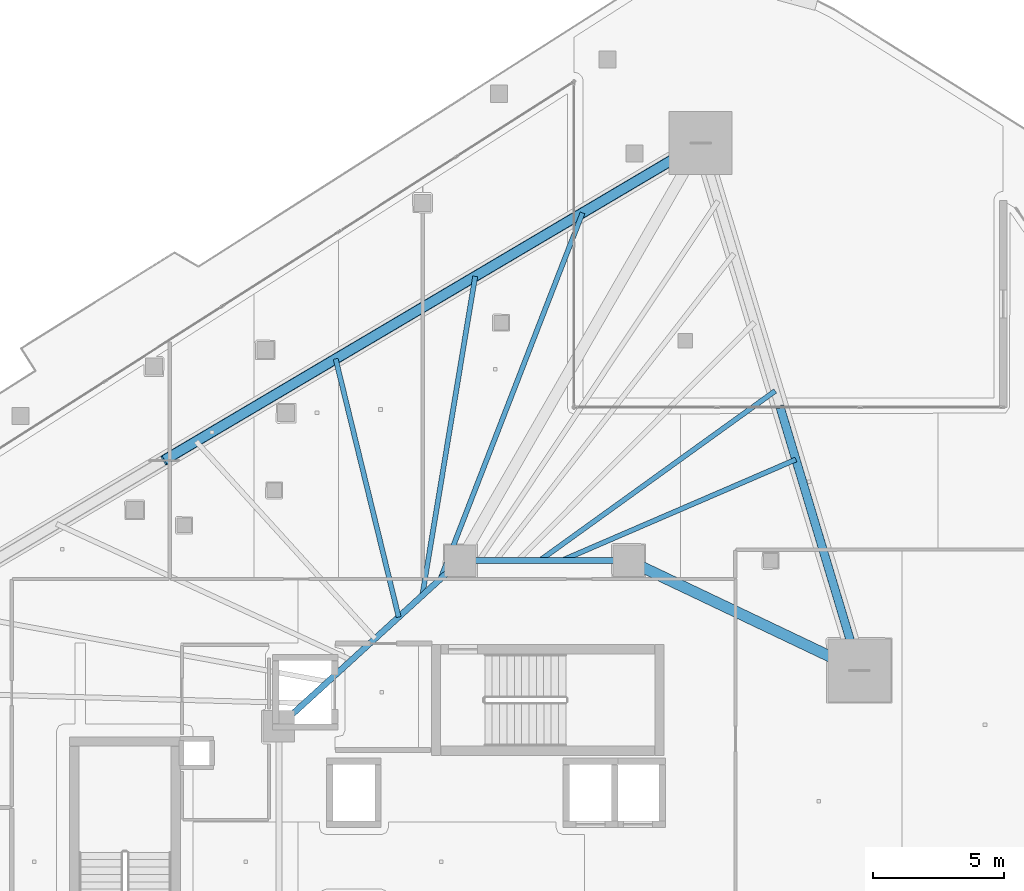
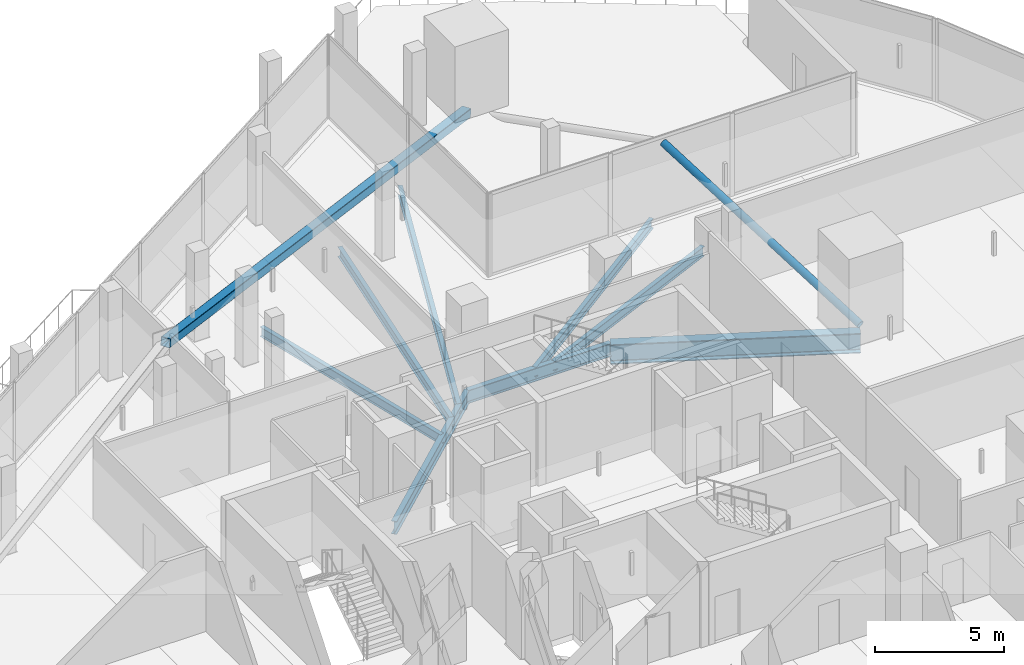
# One storey, part 17 of 47: 8 beams, 2 members.
"""IFC4 building model written with IfcOpenShell, lengths in metres."""

import ifcopenshell
import ifcopenshell.guid

model = None  # the IFC model being written
_history = None  # IfcOwnerHistory: only IFC2X3 demands one
_inside = {}  # id of a spatial element -> (the spatial element, [elements in it])
_under = {}  # id of a project, library or spatial element -> (it, [spatial elements below it])
_declared = {}  # id of a project -> (the project, [libraries it declares])
_typed = {}  # id of a type object -> (the type object, [elements of that type])
_made_of = {}  # id of a material, layer set ... -> (it, [elements and type objects made of it])


def new_model(schema):
    """Start an empty IFC model of exactly this schema.

    Asked for "IFC4X3", IfcOpenShell would pick the latest addendum, in which some entities
    have other attributes; the version numbers below select the first issue.
    IFC2X3 requires an IfcOwnerHistory on every rooted entity: one is made here for all.
    """
    global model, _history
    if schema == "IFC4X3":
        model = ifcopenshell.file(schema_version=(4, 3, 0, 0))
    else:
        model = ifcopenshell.file(schema=schema)
    _inside.clear()
    _under.clear()
    _declared.clear()
    _typed.clear()
    _made_of.clear()
    _history = None
    if model.schema == "IFC2X3":
        org = make("IfcOrganization", Name="unknown")
        user = make(
            "IfcPersonAndOrganization",
            ThePerson=make("IfcPerson", FamilyName="unknown"),
            TheOrganization=org,
        )
        app = make(
            "IfcApplication",
            ApplicationDeveloper=org,
            Version="unknown",
            ApplicationFullName="unknown",
            ApplicationIdentifier="unknown",
        )
        _history = make(
            "IfcOwnerHistory",
            OwningUser=user,
            OwningApplication=app,
            ChangeAction="ADDED",
            CreationDate=0,
        )
    return model


def make(cls, **values):
    """One entity of the class cls with the attributes given. An attribute that is None is left unset."""
    return model.create_entity(
        cls, **{name: value for name, value in values.items() if value is not None}
    )


def rooted(cls, **values):
    """An entity with a GlobalId (a new one), such as an element, a storey or a relation."""
    return make(cls, GlobalId=ifcopenshell.guid.new(), OwnerHistory=_history, **values)


def si_unit(unit_type, name, prefix=None):
    """IfcSIUnit, for example si_unit("LENGTHUNIT", "METRE", prefix="MILLI")."""
    return make("IfcSIUnit", UnitType=unit_type, Prefix=prefix, Name=name)


def assignment(units):
    """IfcUnitAssignment: the units of a project."""
    return None if units is None else make("IfcUnitAssignment", Units=units)


def point(xyz):
    """IfcCartesianPoint."""
    return None if xyz is None else make("IfcCartesianPoint", Coordinates=xyz)


def direction(xyz):
    """IfcDirection."""
    return None if xyz is None else make("IfcDirection", DirectionRatios=xyz)


def frame(location, z_axis=None, x_axis=None):
    """IfcAxis2Placement3D, a coordinate frame: its origin and axes. An axis left out is left unset."""
    return make(
        "IfcAxis2Placement3D",
        Location=point(location),
        Axis=direction(z_axis),
        RefDirection=direction(x_axis),
    )


def frame_2d(location, x_axis=None):
    """IfcAxis2Placement2D, a coordinate frame in the plane: its origin and x axis."""
    return make(
        "IfcAxis2Placement2D", Location=point(location), RefDirection=direction(x_axis)
    )


def origin():
    """The frame at (0, 0, 0) with its axes left unset."""
    return frame((0.0, 0.0, 0.0))


def origin_2d():
    """The frame at (0, 0) in the plane with its x axis left unset."""
    return frame_2d((0.0, 0.0))


def place(relative_to, where):
    """IfcLocalPlacement: puts the frame where relative to a parent placement (None: the world)."""
    return make(
        "IfcLocalPlacement", PlacementRelTo=relative_to, RelativePlacement=where
    )


def context(
    kind, dimensions, precision=None, world=None, true_north=None, identifier=None
):
    """IfcGeometricRepresentationContext, for example the 3D "Model" context."""
    return make(
        "IfcGeometricRepresentationContext",
        ContextIdentifier=identifier,
        ContextType=kind,
        CoordinateSpaceDimension=dimensions,
        Precision=precision,
        WorldCoordinateSystem=world,
        TrueNorth=true_north,
    )


def subcontext(parent, identifier, kind, view, scale=None):
    """IfcGeometricRepresentationSubContext, for example "Body" below "Model"."""
    return make(
        "IfcGeometricRepresentationSubContext",
        ContextIdentifier=identifier,
        ContextType=kind,
        ParentContext=parent,
        TargetScale=scale,
        TargetView=view,
    )


def project(units=None, contexts=None):
    """IfcProject with its units and contexts."""
    return rooted(
        "IfcProject",
        Name="project",
        RepresentationContexts=contexts,
        UnitsInContext=assignment(units),
    )


def spatial(cls, under=None, at=None, **own):
    """A site, building, storey or space (cls), placed at a placement, below another one or the project."""
    s = rooted(cls, ObjectPlacement=at, **own)
    if under is not None:
        _under.setdefault(under.id(), (under, []))[1].append(s)
    return s


def profile(cls, at=None, kind="AREA", **sizes):
    """A parametric profile (cls). Its sizes go by their IFC names, for example OverallWidth=200.0."""
    return make(cls, ProfileType=kind, Position=at, **sizes)


def hollow_rectangle(**sizes):
    """IfcRectangleHollowProfileDef."""
    return profile("IfcRectangleHollowProfileDef", **sizes)


def hollow_circle(**sizes):
    """IfcCircleHollowProfileDef."""
    return profile("IfcCircleHollowProfileDef", **sizes)


def i_section(**sizes):
    """IfcIShapeProfileDef."""
    return profile("IfcIShapeProfileDef", **sizes)


def extrude(swept, where, along, depth):
    """IfcExtrudedAreaSolid: the profile swept, set in the frame where, extruded along a direction by depth."""
    return make(
        "IfcExtrudedAreaSolid",
        SweptArea=swept,
        Position=where,
        ExtrudedDirection=direction(along),
        Depth=depth,
    )


def shape(context_of_items, identifier, shape_type, items):
    """IfcShapeRepresentation: the items that make up one representation, for example the "Body"."""
    return make(
        "IfcShapeRepresentation",
        ContextOfItems=context_of_items,
        RepresentationIdentifier=identifier,
        RepresentationType=shape_type,
        Items=items,
    )


def material(Name=None, Category=None):
    """IfcMaterial."""
    return make("IfcMaterial", Name=Name, Category=Category)


def material_profile(
    of_material, cross_section, Name=None, Category=None, Priority=None
):
    """IfcMaterialProfile: a cross section and its material."""
    return make(
        "IfcMaterialProfile",
        Name=Name,
        Material=of_material,
        Profile=cross_section,
        Priority=Priority,
        Category=Category,
    )


def profile_set(profiles, Name=None, composite=None):
    """IfcMaterialProfileSet."""
    return make(
        "IfcMaterialProfileSet",
        Name=Name,
        MaterialProfiles=profiles,
        CompositeProfile=composite,
    )


def made_of(thing, what):
    """Note that an element or type object is made of a material, layer set ...; save() writes the relation."""
    if what is not None:
        _made_of.setdefault(what.id(), (what, []))[1].append(thing)
    return thing


def type_object(cls, material=None, **own):
    """A type object (cls), such as IfcWallType, which elements share."""
    return made_of(rooted(cls, **own), material)


def element(
    cls,
    number,
    at=None,
    inside=None,
    cuts=None,
    type_object=None,
    material=None,
    context=None,
    identifier="Body",
    shape_type=None,
    held_by="IfcProductDefinitionShape",
    body=None,
    shapes=None,
    **own,
):
    """One element of the class cls, such as IfcWall. Its Tag is "e" and its number.

    at: its placement. inside: the storey or other place that contains it. cuts: it is an
    opening in that element (IfcRelVoidsElement). A single representation is given by context,
    identifier, shape_type and body (its items); several are given by shapes. held_by: the class
    of the entity that holds the representations. save() writes the other relations.
    """
    e = rooted(cls, Tag="e%d" % number, ObjectPlacement=at, **own)
    if body is not None:
        shapes = [shape(context, identifier, shape_type, body)]
    if shapes is not None:
        e.Representation = make(held_by, Representations=shapes)
    if inside is not None:
        _inside.setdefault(inside.id(), (inside, []))[1].append(e)
    if cuts is not None:
        rooted(
            "IfcRelVoidsElement", RelatingBuildingElement=cuts, RelatedOpeningElement=e
        )
    if type_object is not None:
        _typed.setdefault(type_object.id(), (type_object, []))[1].append(e)
    return made_of(e, material)


def aggregate(whole, parts):
    """IfcRelAggregates: a whole, such as a stair, and the parts it consists of."""
    return rooted("IfcRelAggregates", RelatingObject=whole, RelatedObjects=parts)


def save(model, path):
    """Write the relations noted so far, then the file.

    IfcRelAggregates (storeys below a building ...), IfcRelContainedInSpatialStructure (elements
    in a storey), IfcRelDefinesByType, IfcRelAssociatesMaterial and IfcRelDeclares: one each for
    every whole, place, type object, material and project.
    """
    for whole, parts in _under.values():
        aggregate(whole, parts)
    for where, things in _inside.values():
        rooted(
            "IfcRelContainedInSpatialStructure",
            RelatedElements=things,
            RelatingStructure=where,
        )
    for kind, things in _typed.values():
        rooted("IfcRelDefinesByType", RelatedObjects=things, RelatingType=kind)
    for what, things in _made_of.values():
        rooted("IfcRelAssociatesMaterial", RelatedObjects=things, RelatingMaterial=what)
    for by, libraries in _declared.values():
        rooted("IfcRelDeclares", RelatingContext=by, RelatedDefinitions=libraries)
    model.write(path)


model = new_model("IFC4")

# Units and contexts
model_context = context("Model", 3, precision=1e-05, world=origin(), true_north=direction((0.0, 1.0)))
body_context = subcontext(model_context, "Body", "Model", "MODEL_VIEW")
ifc_project = project(units=[si_unit("LENGTHUNIT", "METRE"), si_unit("AREAUNIT", "SQUARE_METRE"), si_unit("VOLUMEUNIT", "CUBIC_METRE"), si_unit("PLANEANGLEUNIT", "RADIAN"), si_unit("MASSUNIT", "GRAM", prefix="KILO")], contexts=[model_context])

# Site, building, storey
site_placement = place(None, origin())
site = spatial("IfcSite", under=ifc_project, at=site_placement, CompositionType="ELEMENT")
building_placement = place(site_placement, origin())
building = spatial("IfcBuilding", under=site, at=building_placement, Name="Qorvath Tower", CompositionType="ELEMENT")
storey_placement = place(building_placement, frame((0.0, 0.0, 74.39990234375)))
storey = spatial("IfcBuildingStorey", under=building, at=storey_placement, Name="L16", CompositionType="ELEMENT", Elevation=74.39990234375)

# Beams
ifc_material_1 = material(Name="Steel ASTM A992 Grade 50", Category="steel")
ifc_material_profile_1 = material_profile(ifc_material_1, i_section(OverallWidth=0.422119140625, OverallDepth=0.93310546875, WebThickness=0.021240234375, FlangeThickness=0.039794921875, FilletRadius=0.02392578125, at=origin_2d()), Name="W36x262")
ifc_profile_set_1 = profile_set([ifc_material_profile_1], Name="Steel ASTM A992 Grade 50")
beam_type_1 = type_object("IfcBeamType", Name="BM-FG1", PredefinedType="BEAM", material=ifc_profile_set_1)
beam_1_placement = place(storey_placement, frame((-17.199951171875, 11.449951171875, -0.746337890625), z_axis=(0.902955751435, -0.429733534821, 0.0), x_axis=(0.429733534821, 0.902955751435, 0.0)))
element("IfcBeam", 1, at=beam_1_placement, inside=storey, type_object=beam_type_1, Name="Radial Floor Girder CC2-MC5 L16", PredefinedType="BEAM", context=body_context, shape_type="SweptSolid", body=[
    extrude(i_section(OverallWidth=0.422119140625, OverallDepth=0.93310546875, WebThickness=0.021240234375, FlangeThickness=0.039794921875, FilletRadius=0.02392578125, at=origin_2d()), origin(), (0.0, 0.0, 1.0), 9.7119140625),
])
ifc_material_2 = material(Name="Steel ASTM A992 Grade 50", Category="steel")
ifc_material_profile_2 = material_profile(ifc_material_2, i_section(OverallWidth=0.22998046875, OverallDepth=0.616943359375, WebThickness=0.01318359375, FlangeThickness=0.022216796875, FilletRadius=0.014892578125, at=origin_2d()), Name="W24x94")
ifc_profile_set_2 = profile_set([ifc_material_profile_2], Name="Steel ASTM A992 Grade 50")
beam_type_2 = type_object("IfcBeamType", Name="BM-FG6", PredefinedType="BEAM", material=ifc_profile_set_2)
beam_2_placement = place(storey_placement, frame((-23.60009765625, 11.449951171875, -0.58837890625), z_axis=(1.0, 0.0, 0.0), x_axis=(0.0, 1.0, 0.0)))
element("IfcBeam", 2, at=beam_2_placement, inside=storey, type_object=beam_type_2, Name="Core Ring Girder CC1-CC2 L16", PredefinedType="BEAM", context=body_context, shape_type="SweptSolid", body=[
    extrude(i_section(OverallWidth=0.22998046875, OverallDepth=0.616943359375, WebThickness=0.01318359375, FlangeThickness=0.022216796875, FilletRadius=0.014892578125, at=origin_2d()), origin(), (0.0, 0.0, 1.0), 6.400146484375),
])
beam_3_placement = place(storey_placement, frame((-30.5, 5.14990234375, -0.58837890625), z_axis=(0.73847813985, 0.6742774184, 0.0), x_axis=(-0.6742774184, 0.73847813985, 0.0)))
element("IfcBeam", 3, at=beam_3_placement, inside=storey, type_object=beam_type_2, Name="Core Ring Girder CC5-CC1 L16", PredefinedType="BEAM", context=body_context, shape_type="SweptSolid", body=[
    extrude(i_section(OverallWidth=0.22998046875, OverallDepth=0.616943359375, WebThickness=0.01318359375, FlangeThickness=0.022216796875, FilletRadius=0.014892578125, at=origin_2d()), origin(), (0.0, 0.0, 1.0), 9.343505859375),
])
ifc_material_3 = material(Name="Steel ASTM A992 Grade 50", Category="steel")
ifc_material_profile_3 = material_profile(ifc_material_3, i_section(OverallWidth=0.18994140625, OverallDepth=0.45703125, WebThickness=0.009033203125, FlangeThickness=0.014404296875, FilletRadius=0.011962890625, at=origin_2d()), Name="W18x50")
ifc_profile_set_3 = profile_set([ifc_material_profile_3], Name="Steel ASTM A992 Grade 50")
beam_type_3 = type_object("IfcBeamType", Name="BM-FJ2", PredefinedType="JOIST", material=ifc_profile_set_3)
beam_4_placement = place(storey_placement, frame((-19.760009765625, 11.449951171875, -0.50830078125), z_axis=(0.918135537923, 0.396266493667, 0.0), x_axis=(-0.396266493667, 0.918135537923, 0.0)))
element("IfcBeam", 4, at=beam_4_placement, inside=storey, type_object=beam_type_3, Name="Composite Floor Joist NE3 L16", PredefinedType="JOIST", context=body_context, shape_type="SweptSolid", body=[
    extrude(i_section(OverallWidth=0.18994140625, OverallDepth=0.45703125, WebThickness=0.009033203125, FlangeThickness=0.014404296875, FilletRadius=0.011962890625, at=origin_2d()), origin(), (0.0, 0.0, 1.0), 9.7109375),
])
beam_5_placement = place(storey_placement, frame((-20.592041015625, 11.449951171875, -0.50830078125), z_axis=(0.811469358397, 0.584394969505, 0.0), x_axis=(-0.584394969505, 0.811469358397, 0.0)))
element("IfcBeam", 5, at=beam_5_placement, inside=storey, type_object=beam_type_3, Name="Composite Floor Joist NE4 L16", PredefinedType="JOIST", context=body_context, shape_type="SweptSolid", body=[
    extrude(i_section(OverallWidth=0.18994140625, OverallDepth=0.45703125, WebThickness=0.009033203125, FlangeThickness=0.014404296875, FilletRadius=0.011962890625, at=origin_2d()), origin(), (0.0, 0.0, 1.0), 11.046142578125),
])
beam_6_placement = place(storey_placement, frame((-25.946044921875, 9.30810546875, -0.50830078125), z_axis=(-0.237165308581, 0.97146930801, 0.0), x_axis=(-0.97146930801, -0.237165308581, 0.0)))
element("IfcBeam", 6, at=beam_6_placement, inside=storey, type_object=beam_type_3, Name="Composite Floor Joist NW5 L16", PredefinedType="JOIST", context=body_context, shape_type="SweptSolid", body=[
    extrude(i_section(OverallWidth=0.18994140625, OverallDepth=0.45703125, WebThickness=0.009033203125, FlangeThickness=0.014404296875, FilletRadius=0.011962890625, at=origin_2d()), origin(), (0.0, 0.0, 1.0), 10.104736328125),
])
beam_7_placement = place(storey_placement, frame((-25.049072265625, 10.126953125, -0.50830078125), z_axis=(0.163639384475, 0.98652022374, 0.0), x_axis=(-0.98652022374, 0.163639384475, 0.0)))
element("IfcBeam", 7, at=beam_7_placement, inside=storey, type_object=beam_type_3, Name="Composite Floor Joist NW6 L16", PredefinedType="JOIST", context=body_context, shape_type="SweptSolid", body=[
    extrude(i_section(OverallWidth=0.18994140625, OverallDepth=0.45703125, WebThickness=0.009033203125, FlangeThickness=0.014404296875, FilletRadius=0.011962890625, at=origin_2d()), origin(), (0.0, 0.0, 1.0), 12.301025390625),
])
beam_8_placement = place(storey_placement, frame((-24.35888671875, 10.757080078125, -0.50830078125), z_axis=(0.361964096586, 0.93219203643, 0.0), x_axis=(-0.93219203643, 0.361964096586, 0.0)))
element("IfcBeam", 8, at=beam_8_placement, inside=storey, type_object=beam_type_3, Name="Composite Floor Joist NW7 L16", PredefinedType="JOIST", context=body_context, shape_type="SweptSolid", body=[
    extrude(i_section(OverallWidth=0.18994140625, OverallDepth=0.45703125, WebThickness=0.009033203125, FlangeThickness=0.014404296875, FilletRadius=0.011962890625, at=origin_2d()), origin(), (0.0, 0.0, 1.0), 14.93115234375),
])

# Members
ifc_material_4 = material(Name="Steel ASTM A500 Grade C", Category="steel")
ifc_material_profile_4 = material_profile(ifc_material_4, hollow_rectangle(XDim=0.406494140625, YDim=0.406494140625, WallThickness=0.015869140625, InnerFilletRadius=0.015869140625, OuterFilletRadius=0.03173828125, at=origin_2d()), Name="HSS 406x406x16")
ifc_profile_set_4 = profile_set([ifc_material_profile_4], Name="Steel ASTM A500 Grade C")
member_type_1 = type_object("IfcMemberType", Name="MEM-MB1", PredefinedType="BRACE", material=ifc_profile_set_4)
member_1_placement = place(storey_placement, frame((-14.46435546875, 27.330810546875, 0.0), z_axis=(-0.851182795565, -0.503305343105, 0.148901242896), x_axis=(0.508979409022, -0.860778694666, 0.0)))
element("IfcMember", 9, at=member_1_placement, inside=storey, type_object=member_type_1, Name="Perimeter Chevron Brace L16-1A", PredefinedType="BRACE", context=body_context, shape_type="SweptSolid", body=[
    extrude(hollow_rectangle(XDim=0.406494140625, YDim=0.406494140625, WallThickness=0.015869140625, InnerFilletRadius=0.015869140625, OuterFilletRadius=0.03173828125, at=origin_2d()), origin(), (0.0, 0.0, 1.0), 23.977783203125),
])
ifc_material_5 = material(Name="Steel ASTM A500 Grade C", Category="steel")
ifc_material_profile_5 = material_profile(ifc_material_5, hollow_circle(Radius=0.161865234375, WallThickness=0.0126953125, at=origin_2d()), Name="CHS 324x12.7")
ifc_profile_set_5 = profile_set([ifc_material_profile_5], Name="Steel ASTM A500 Grade C")
member_type_2 = type_object("IfcMemberType", Name="MEM-ST1", PredefinedType="STRUT", material=ifc_profile_set_5)
member_2_placement = place(storey_placement, frame((-8.430419921875, 7.2763671875, 0.0), z_axis=(-0.272695501698, 0.906358901858, 0.322723882564), x_axis=(-0.957596888546, -0.288111435119, 0.0)))
element("IfcMember", 10, at=member_2_placement, inside=storey, type_object=member_type_2, Name="Sky Garden Corner Strut L16-A", PredefinedType="STRUT", context=body_context, shape_type="SweptSolid", body=[
    extrude(hollow_circle(Radius=0.161865234375, WallThickness=0.0126953125, at=origin_2d()), origin(), (0.0, 0.0, 1.0), 11.06298828125),
])

save(model, "model.ifc")
